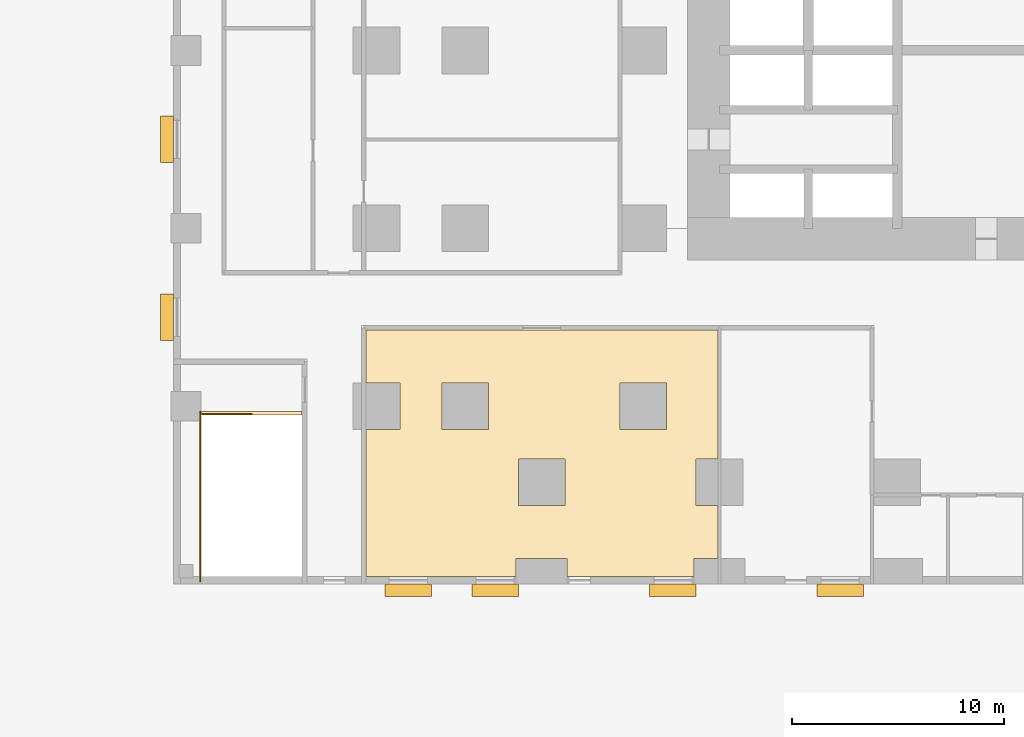
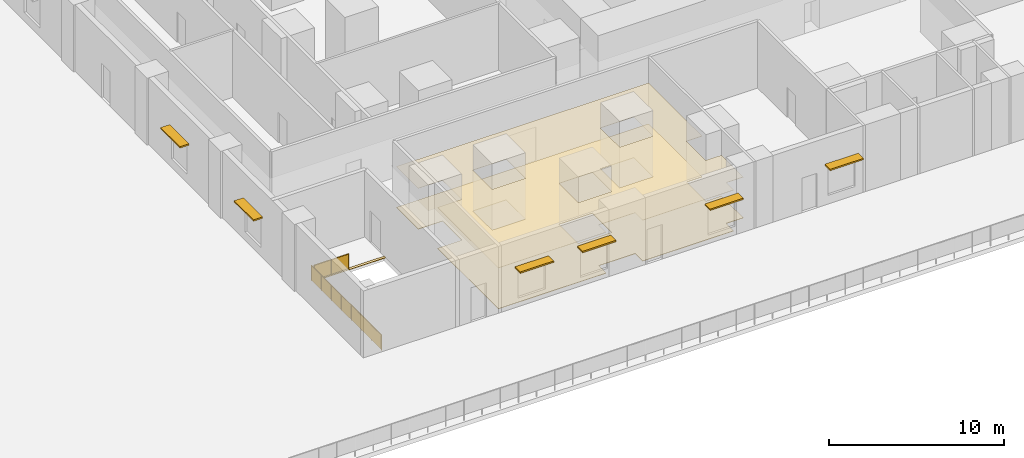
# One storey, part 16 of 18: 6 shading devices, 3 coverings, 2 railings.
"""IFC4 building model written with IfcOpenShell, lengths in metres."""

from ifc_helpers import new_model, si_unit, direction, frame, origin, origin_2d, place, context, subcontext, project, spatial, polyline, rectangle, circle, outline, extrude, material, layer, layer_set, type_object, element, save


model = new_model("IFC4")

# Units and contexts
model_context = context("Model", 3, precision=1e-05, world=origin(), true_north=direction((0.0, 1.0)))
body_context = subcontext(model_context, "Body", "Model", "MODEL_VIEW")
ifc_project = project(units=[si_unit("LENGTHUNIT", "METRE"), si_unit("AREAUNIT", "SQUARE_METRE"), si_unit("VOLUMEUNIT", "CUBIC_METRE"), si_unit("PLANEANGLEUNIT", "RADIAN"), si_unit("MASSUNIT", "GRAM", prefix="KILO")], contexts=[model_context])

# Site, building, storey
site_placement = place(None, origin())
site = spatial("IfcSite", under=ifc_project, at=site_placement, CompositionType="ELEMENT")
building_placement = place(site_placement, origin())
building = spatial("IfcBuilding", under=site, at=building_placement, Name="Dunama Terrace Hotel", CompositionType="ELEMENT")
storey_placement = place(building_placement, frame((0.0, 0.0, 17.0)))
storey = spatial("IfcBuildingStorey", under=building, at=storey_placement, Name="L03", CompositionType="ELEMENT", Elevation=17.0)

# Railings
ifc_material_1 = material(Name="Stainless steel and laminated glass guard", Category="steel")
railing_type = type_object("IfcRailingType", Name="Guard 1100", PredefinedType="GUARDRAIL", material=ifc_material_1)
railing_1_placement = place(storey_placement, frame((-7.625, 8.02490234375, 0.030029296875)))
element("IfcRailing", 1, at=railing_1_placement, inside=storey, type_object=railing_type, Name="Stair well guard P4 L03", PredefinedType="GUARDRAIL", context=body_context, shape_type="SweptSolid", body=[
    extrude(circle(Radius=0.02392578125, at=origin_2d()), frame((0.0, 0.0, 1.076171875), z_axis=(1.0, 0.0, 0.0), x_axis=(0.0, 1.0, 0.0)), (0.0, 0.0, 1.0), 2.300048828125),
    extrude(circle(Radius=0.02099609375, at=origin_2d()), frame((0.0, 0.0, -0.030029296875)), (0.0, 0.0, 1.0), 1.08203125),
    extrude(circle(Radius=0.02099609375, at=origin_2d()), frame((1.14990234375, 0.0, -0.030029296875)), (0.0, 0.0, 1.0), 1.08203125),
    extrude(circle(Radius=0.02099609375, at=origin_2d()), frame((2.300048828125, 0.0, -0.030029296875)), (0.0, 0.0, 1.0), 1.08203125),
    extrude(outline(polyline([(0.0048828125, 0.050048828125), (1.14501953125, 0.050048828125), (1.14501953125, 1.076171875), (0.0048828125, 1.076171875), (0.0048828125, 0.050048828125)])), frame((0.0, 0.0087890625, 0.0), z_axis=(0.0, -1.0, 0.0), x_axis=(1.0, 0.0, 0.0)), (0.0, 0.0, 1.0), 0.017578125),
    extrude(outline(polyline([(0.0048828125, 0.050048828125), (1.14501953125, 0.050048828125), (1.14501953125, 1.076171875), (0.0048828125, 1.076171875), (0.0048828125, 0.050048828125)])), frame((1.14990234375, 0.0087890625, 0.0), z_axis=(0.0, -1.0, 0.0), x_axis=(1.0, 0.0, 0.0)), (0.0, 0.0, 1.0), 0.017578125),
])
railing_2_placement = place(storey_placement, frame((-7.72509765625, 0.125, 0.0)))
element("IfcRailing", 2, at=railing_2_placement, inside=storey, type_object=railing_type, Name="Stair well edge guard P4 L03", PredefinedType="GUARDRAIL", context=body_context, shape_type="SweptSolid", body=[
    extrude(circle(Radius=0.02392578125, at=origin_2d()), frame((0.0, 0.0, 1.076171875), z_axis=(0.0, 1.0, 0.0), x_axis=(-1.0, 0.0, 0.0)), (0.0, 0.0, 1.0), 8.014892578125),
    extrude(circle(Radius=0.02099609375, at=origin_2d()), origin(), (0.0, 0.0, 1.0), 1.052001953125),
    extrude(circle(Radius=0.02099609375, at=origin_2d()), frame((0.0, 1.14501953125, 0.0)), (0.0, 0.0, 1.0), 1.052001953125),
    extrude(circle(Radius=0.02099609375, at=origin_2d()), frame((0.0, 2.2900390625, 0.0)), (0.0, 0.0, 1.0), 1.052001953125),
    extrude(circle(Radius=0.02099609375, at=origin_2d()), frame((0.0, 3.43505859375, 0.0)), (0.0, 0.0, 1.0), 1.052001953125),
    extrude(circle(Radius=0.02099609375, at=origin_2d()), frame((0.0, 4.579833984375, 0.0)), (0.0, 0.0, 1.0), 1.052001953125),
    extrude(circle(Radius=0.02099609375, at=origin_2d()), frame((0.0, 5.724853515625, 0.0)), (0.0, 0.0, 1.0), 1.052001953125),
    extrude(circle(Radius=0.02099609375, at=origin_2d()), frame((0.0, 6.869873046875, 0.0)), (0.0, 0.0, 1.0), 1.052001953125),
    extrude(circle(Radius=0.02099609375, at=origin_2d()), frame((0.0, 8.014892578125, 0.0)), (0.0, 0.0, 1.0), 1.052001953125),
    extrude(outline(polyline([(0.0048828125, 0.050048828125), (1.14013671875, 0.050048828125), (1.14013671875, 1.076171875), (0.0048828125, 1.076171875), (0.0048828125, 0.050048828125)])), frame((-0.0087890625, 0.0, 0.0), z_axis=(1.0, 0.0, 0.0), x_axis=(0.0, 1.0, 0.0)), (0.0, 0.0, 1.0), 0.017578125),
    extrude(outline(polyline([(0.0048828125, 0.050048828125), (1.14013671875, 0.050048828125), (1.14013671875, 1.076171875), (0.0048828125, 1.076171875), (0.0048828125, 0.050048828125)])), frame((-0.0087890625, 1.14501953125, 0.0), z_axis=(1.0, 0.0, 0.0), x_axis=(0.0, 1.0, 0.0)), (0.0, 0.0, 1.0), 0.017578125),
    extrude(outline(polyline([(0.0048828125, 0.050048828125), (1.14013671875, 0.050048828125), (1.14013671875, 1.076171875), (0.0048828125, 1.076171875), (0.0048828125, 0.050048828125)])), frame((-0.0087890625, 2.2900390625, 0.0), z_axis=(1.0, 0.0, 0.0), x_axis=(0.0, 1.0, 0.0)), (0.0, 0.0, 1.0), 0.017578125),
    extrude(outline(polyline([(0.0048828125, 0.050048828125), (1.14013671875, 0.050048828125), (1.14013671875, 1.076171875), (0.0048828125, 1.076171875), (0.0048828125, 0.050048828125)])), frame((-0.0087890625, 3.43505859375, 0.0), z_axis=(1.0, 0.0, 0.0), x_axis=(0.0, 1.0, 0.0)), (0.0, 0.0, 1.0), 0.017578125),
    extrude(outline(polyline([(0.0048828125, 0.050048828125), (1.14013671875, 0.050048828125), (1.14013671875, 1.076171875), (0.0048828125, 1.076171875), (0.0048828125, 0.050048828125)])), frame((-0.0087890625, 4.579833984375, 0.0), z_axis=(1.0, 0.0, 0.0), x_axis=(0.0, 1.0, 0.0)), (0.0, 0.0, 1.0), 0.017578125),
    extrude(outline(polyline([(0.0048828125, 0.050048828125), (1.14013671875, 0.050048828125), (1.14013671875, 1.076171875), (0.0048828125, 1.076171875), (0.0048828125, 0.050048828125)])), frame((-0.0087890625, 5.724853515625, 0.0), z_axis=(1.0, 0.0, 0.0), x_axis=(0.0, 1.0, 0.0)), (0.0, 0.0, 1.0), 0.017578125),
    extrude(outline(polyline([(0.0048828125, 0.050048828125), (1.14013671875, 0.050048828125), (1.14013671875, 1.076171875), (0.0048828125, 1.076171875), (0.0048828125, 0.050048828125)])), frame((-0.0087890625, 6.869873046875, 0.0), z_axis=(1.0, 0.0, 0.0), x_axis=(0.0, 1.0, 0.0)), (0.0, 0.0, 1.0), 0.017578125),
])

# Coverings
ifc_material_2 = material(Name="Natural stone floor tiles", Category="masonry")
ifc_layer_1 = layer(ifc_material_2, 0.030029296875)
ifc_layer_set_1 = layer_set([ifc_layer_1], Name="Stone floor finish 30")
covering_type_1 = type_object("IfcCoveringType", Name="Stone floor finish 30", PredefinedType="FLOORING", material=ifc_layer_set_1)
covering_1_placement = place(storey_placement, origin())
element("IfcCovering", 3, at=covering_1_placement, inside=storey, type_object=covering_type_1, Name="Stair threshold P4 L03", PredefinedType="FLOORING", context=body_context, shape_type="SweptSolid", body=[
    extrude(outline(polyline([(-2.925048828125, 7.97509765625), (-2.925048828125, 8.139892578125), (-7.675048828125, 8.139892578125), (-7.675048828125, 7.97509765625), (-2.925048828125, 7.97509765625)])), origin(), (0.0, 0.0, 1.0), 0.030029296875),
])
covering_2_placement = place(storey_placement, origin())
element("IfcCovering", 4, at=covering_2_placement, inside=storey, type_object=covering_type_1, Name="Floor finish L03-25", PredefinedType="FLOORING", context=body_context, shape_type="SweptSolid", body=[
    extrude(outline(polyline([(0.10009765625, 7.300048828125), (0.10009765625, 0.35009765625), (7.199951171875, 0.35009765625), (7.199951171875, 1.199951171875), (9.60009765625, 1.199951171875), (9.60009765625, 0.35009765625), (15.60009765625, 0.35009765625), (15.60009765625, 1.199951171875), (16.72509765625, 1.199951171875), (16.72509765625, 3.699951171875), (15.699951171875, 3.699951171875), (15.699951171875, 5.89990234375), (16.72509765625, 5.89990234375), (16.72509765625, 12.0), (0.10009765625, 12.0), (0.10009765625, 9.5), (1.699951171875, 9.5), (1.699951171875, 7.300048828125), (0.10009765625, 7.300048828125)]), holes=[polyline([(3.699951171875, 9.5), (5.89990234375, 9.5), (5.89990234375, 7.300048828125), (3.699951171875, 7.300048828125), (3.699951171875, 9.5)]), polyline([(7.300048828125, 5.89990234375), (9.5, 5.89990234375), (9.5, 3.699951171875), (7.300048828125, 3.699951171875), (7.300048828125, 5.89990234375)]), polyline([(12.10009765625, 9.5), (14.300048828125, 9.5), (14.300048828125, 7.300048828125), (12.10009765625, 7.300048828125), (12.10009765625, 9.5)])]), origin(), (0.0, 0.0, 1.0), 0.030029296875),
])

# Shading devices
ifc_material_3 = material(Name="Precast stone sunshade", Category="masonry")
ifc_layer_2 = layer(ifc_material_3, 0.10009765625)
ifc_layer_set_2 = layer_set([ifc_layer_2], Name="Stone sunshade 600")
shading_device_type = type_object("IfcShadingDeviceType", Name="Stone sunshade 600", PredefinedType="USERDEFINED", material=ifc_layer_set_2)
for number, where, z_axis, x_axis, name in (
    (5, (2.10009765625, -0.300048828125, 2.75), (0.0, 0.0, 1.0), (1.0, 0.0, 0.0), "Sunshade L03"),
    (6, (6.199951171875, -0.300048828125, 2.75), (0.0, 0.0, 1.0), (1.0, 0.0, 0.0), "Sunshade L03"),
    (7, (14.60009765625, -0.300048828125, 2.75), (0.0, 0.0, 1.0), (1.0, 0.0, 0.0), "Sunshade L03"),
    (8, (22.5, -0.300048828125, 2.75), (0.0, 0.0, 1.0), (1.0, 0.0, 0.0), "Sunshade L03"),
    (9, (-9.300048828125, 12.60009765625, 2.75), (0.0, 0.0, 1.0), (0.0, -1.0, 0.0), "Sunshade L03"),
    (10, (-9.300048828125, 21.0, 2.75), (0.0, 0.0, 1.0), (0.0, -1.0, 0.0), "Sunshade L03"),
):
    element("IfcShadingDevice", number, at=place(storey_placement, frame(where, z_axis=z_axis, x_axis=x_axis)), inside=storey, type_object=shading_device_type, Name=name, ObjectType="SUNSHADE", PredefinedType="USERDEFINED", context=body_context, shape_type="SweptSolid", body=[
        extrude(rectangle(XDim=2.199951171875, YDim=0.60009765625, at=origin_2d()), origin(), (0.0, 0.0, 1.0), 0.10009765625),
    ])

# Covering
ifc_material_4 = material(Name="Gypsum plasterboard ceiling")
ifc_layer_3 = layer(ifc_material_4, 0.02001953125)
ifc_layer_set_3 = layer_set([ifc_layer_3], Name="Suspended ceiling 20")
covering_type_2 = type_object("IfcCoveringType", Name="Suspended ceiling 20", PredefinedType="CEILING", material=ifc_layer_set_3)
covering_3_placement = place(storey_placement, frame((0.0, 0.0, 2.85009765625)))
element("IfcCovering", 11, at=covering_3_placement, inside=storey, type_object=covering_type_2, Name="Ceiling L03-25", PredefinedType="CEILING", context=body_context, shape_type="SweptSolid", body=[
    extrude(outline(polyline([(1.699951171875, 7.300048828125), (0.10009765625, 7.300048828125), (0.10009765625, 0.35009765625), (7.199951171875, 0.35009765625), (7.199951171875, 1.199951171875), (9.60009765625, 1.199951171875), (9.60009765625, 0.35009765625), (15.60009765625, 0.35009765625), (15.60009765625, 1.199951171875), (16.72509765625, 1.199951171875), (16.72509765625, 3.699951171875), (15.699951171875, 3.699951171875), (15.699951171875, 5.89990234375), (16.72509765625, 5.89990234375), (16.72509765625, 12.0), (0.10009765625, 12.0), (0.10009765625, 9.5), (1.699951171875, 9.5), (1.699951171875, 7.300048828125)]), holes=[polyline([(3.699951171875, 7.300048828125), (3.699951171875, 9.5), (5.89990234375, 9.5), (5.89990234375, 7.300048828125), (3.699951171875, 7.300048828125)]), polyline([(7.300048828125, 3.699951171875), (7.300048828125, 5.89990234375), (9.5, 5.89990234375), (9.5, 3.699951171875), (7.300048828125, 3.699951171875)]), polyline([(12.10009765625, 7.300048828125), (12.10009765625, 9.5), (14.300048828125, 9.5), (14.300048828125, 7.300048828125), (12.10009765625, 7.300048828125)])]), origin(), (0.0, 0.0, 1.0), 0.02001953125),
])

save(model, "model.ifc")
